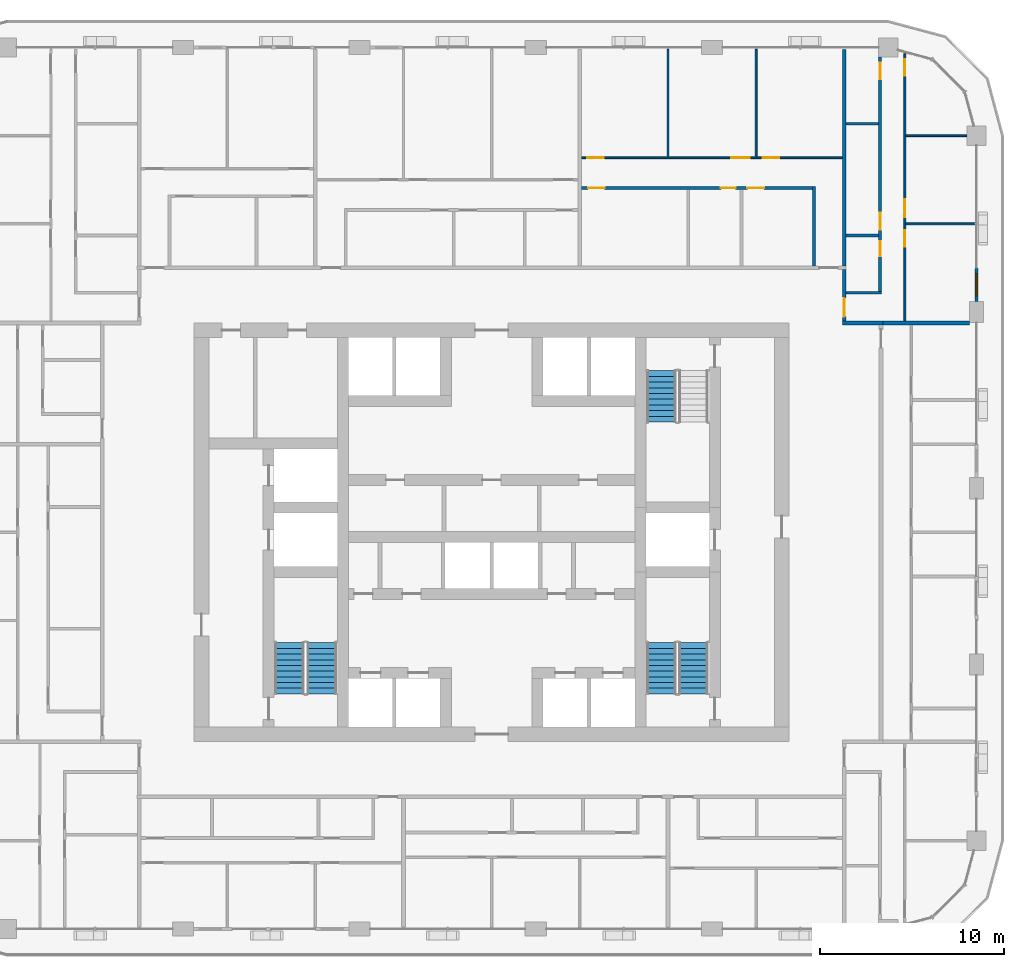
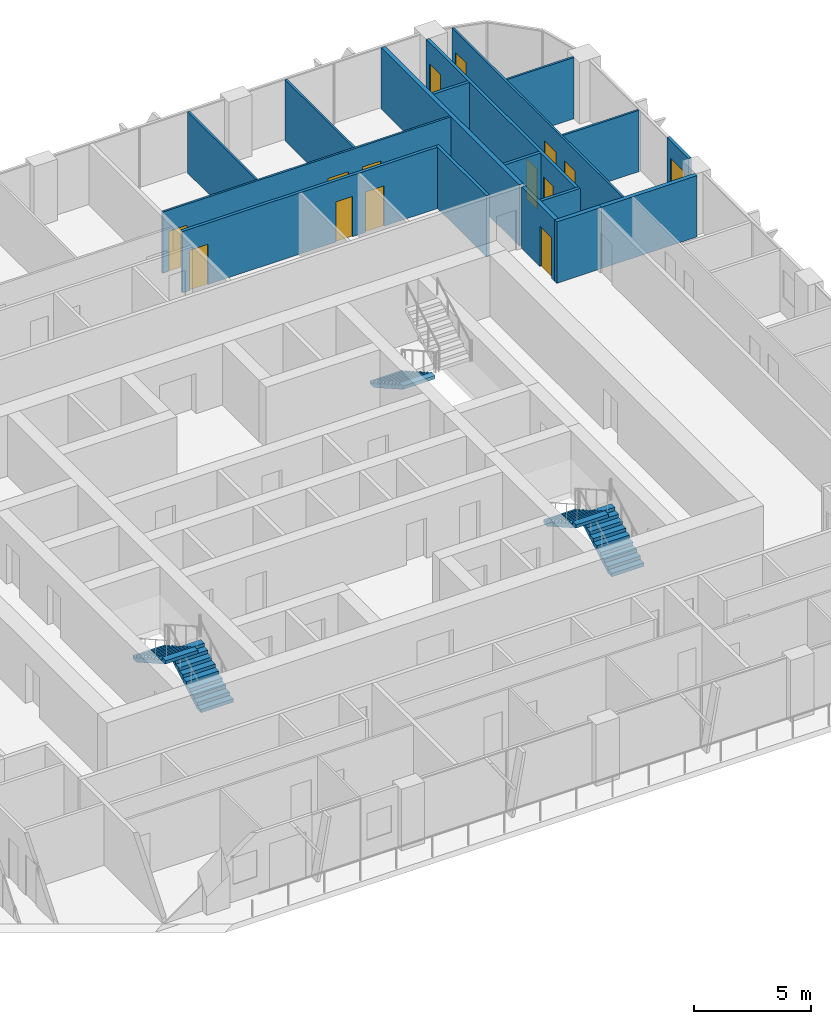
# One storey, part 15 of 23: 17 walls, 13 doors, 5 stair flights, 1 window, 14 openings, 3 elements without a shape of their own.
"""IFC4 building model written with IfcOpenShell, lengths in metres."""

from ifc_helpers import new_model, si_unit, direction, frame, frame_2d, origin, place, context, subcontext, project, spatial, polyline, rectangle, outline, extrude, material, layer, layer_set, type_object, element, fill, aggregate, save


model = new_model("IFC4")

# Units and contexts
model_context = context("Model", 3, precision=1e-05, world=origin(), true_north=direction((0.0, 1.0)))
body_context = subcontext(model_context, "Body", "Model", "MODEL_VIEW")
ifc_project = project(units=[si_unit("LENGTHUNIT", "METRE"), si_unit("AREAUNIT", "SQUARE_METRE"), si_unit("VOLUMEUNIT", "CUBIC_METRE"), si_unit("PLANEANGLEUNIT", "RADIAN"), si_unit("MASSUNIT", "GRAM", prefix="KILO")], contexts=[model_context])

# Site, building, storey
site_placement = place(None, origin())
site = spatial("IfcSite", under=ifc_project, at=site_placement, CompositionType="ELEMENT")
building_placement = place(site_placement, origin())
building = spatial("IfcBuilding", under=site, at=building_placement, Name="Madar Terraces", CompositionType="ELEMENT")
storey_placement = place(building_placement, frame((0.0, 0.0, 133.10009765625)))
storey = spatial("IfcBuildingStorey", under=building, at=storey_placement, Name="L34", CompositionType="ELEMENT", Elevation=133.10009765625)

# Wall, opening, window
ifc_material_1 = material(Name="Aluminium composite panel, black, over insulated backing", Category="aluminium")
ifc_layer_1 = layer(ifc_material_1, 0.14990234375)
ifc_layer_set_1 = layer_set([ifc_layer_1], Name="Facade bay panel 150")
wall_type_1 = type_object("IfcWallType", Name="Facade bay panel 150", PredefinedType="SOLIDWALL", material=ifc_layer_set_1)
wall_1_placement = place(storey_placement, frame((57.60009765625, 38.97509765625, 0.0), z_axis=(0.0, 0.0, 1.0), x_axis=(0.0, 1.0, 0.0)))
wall_1 = element("IfcWall", 1, at=wall_1_placement, inside=storey, type_object=wall_type_1, Name="Facade bay panel", PredefinedType="SOLIDWALL", context=body_context, shape_type="SweptSolid", body=[
    extrude(rectangle(XDim=1.824951171875, YDim=0.14990234375, at=frame_2d((0.91259765625, 0.0))), origin(), (0.0, 0.0, 1.0), 3.199951171875),
])
opening_1_placement = place(wall_1_placement, frame((0.3125, 0.0, 0.89990234375)))
opening_1 = element("IfcOpeningElement", 2, at=opening_1_placement, cuts=wall_1, Name="Opening W1", PredefinedType="OPENING", context=body_context, shape_type="SweptSolid", body=[
    extrude(rectangle(XDim=1.199951171875, YDim=1.39990234375, at=frame_2d((0.60009765625, 0.699951171875))), frame((0.0, 0.0849609375, 0.0), z_axis=(0.0, -1.0, 0.0), x_axis=(1.0, 0.0, 0.0)), (0.0, 0.0, 1.0), 0.169921875),
])
ifc_material_2 = material(Name="Glass, clear, with black aluminium frame", Category="aluminium")
window_type = type_object("IfcWindowType", Name="Vent window 1200 x 1400", PartitioningType="SINGLE_PANEL", PredefinedType="WINDOW", material=ifc_material_2)
window_placement = place(opening_1_placement, origin())
window = element("IfcWindow", 3, at=window_placement, inside=storey, type_object=window_type, Name="Operable vent window", OverallHeight=1.39990234375, OverallWidth=1.199951171875, PartitioningType="SINGLE_PANEL", PredefinedType="WINDOW", context=body_context, shape_type="SweptSolid", body=[
    extrude(rectangle(XDim=1.199951171875, YDim=1.39990234375, at=frame_2d((0.60009765625, 0.699951171875))), frame((0.0, 0.030029296875, 0.0), z_axis=(0.0, -1.0, 0.0), x_axis=(1.0, 0.0, 0.0)), (0.0, 0.0, 1.0), 0.06005859375),
])
fill(opening_1, window)

# Walls
ifc_material_3 = material(Name="Gypsum board on steel studs", Category="steel")
ifc_layer_2 = layer(ifc_material_3, 0.10009765625)
ifc_layer_set_2 = layer_set([ifc_layer_2], Name="Flat partition 100")
wall_type_2 = type_object("IfcWallType", Name="Flat partition 100", PredefinedType="PARTITIONING", material=ifc_layer_set_2)
wall_2_placement = place(storey_placement, frame((53.75, 43.199951171875, 0.0), z_axis=(0.0, 0.0, 1.0), x_axis=(1.0, 0.0, 0.0)))
element("IfcWall", 4, at=wall_2_placement, inside=storey, type_object=wall_type_2, Name="Flat partition 100", PredefinedType="PARTITIONING", context=body_context, shape_type="SweptSolid", body=[
    extrude(rectangle(XDim=3.75, YDim=0.10009765625, at=frame_2d((1.875, 0.0))), origin(), (0.0, 0.0, 1.0), 3.199951171875),
])
wall_3_placement = place(storey_placement, frame((53.75, 48.0, 0.0), z_axis=(0.0, 0.0, 1.0), x_axis=(1.0, 0.0, 0.0)))
element("IfcWall", 5, at=wall_3_placement, inside=storey, type_object=wall_type_2, Name="Flat partition 100", PredefinedType="PARTITIONING", context=body_context, shape_type="SweptSolid", body=[
    extrude(rectangle(XDim=3.324951171875, YDim=0.10009765625, at=frame_2d((1.66259765625, 0.0))), origin(), (0.0, 0.0, 1.0), 3.199951171875),
])

# Wall, openings, doors
wall_4_placement = place(storey_placement, frame((53.699951171875, 52.458740234375, 0.0), z_axis=(0.0, 0.0, 1.0), x_axis=(0.0, -1.0, 0.0)))
wall_4 = element("IfcWall", 6, at=wall_4_placement, inside=storey, type_object=wall_type_2, Name="Flat partition 100", PredefinedType="PARTITIONING", context=body_context, shape_type="SweptSolid", body=[
    extrude(rectangle(XDim=14.558837890625, YDim=0.10009765625, at=frame_2d((7.279296875, 0.0))), origin(), (0.0, 0.0, 1.0), 3.199951171875),
])
opening_2_placement = place(wall_4_placement, frame((9.60888671875, 0.0, 0.0)))
opening_2 = element("IfcOpeningElement", 7, at=opening_2_placement, cuts=wall_4, Name="Opening D2", PredefinedType="OPENING", context=body_context, shape_type="SweptSolid", body=[
    extrude(rectangle(XDim=0.89990234375, YDim=2.10009765625, at=frame_2d((0.449951171875, 1.050048828125))), frame((0.0, 0.06005859375, 0.0), z_axis=(0.0, -1.0, 0.0), x_axis=(1.0, 0.0, 0.0)), (0.0, 0.0, 1.0), 0.1201171875),
])
opening_3_placement = place(wall_4_placement, frame((7.90869140625, 0.0, 0.0)))
opening_3 = element("IfcOpeningElement", 8, at=opening_3_placement, cuts=wall_4, Name="Opening D3", PredefinedType="OPENING", context=body_context, shape_type="SweptSolid", body=[
    extrude(rectangle(XDim=1.0, YDim=2.10009765625, at=frame_2d((0.5, 1.050048828125))), frame((0.0, 0.06005859375, 0.0), z_axis=(0.0, -1.0, 0.0), x_axis=(1.0, 0.0, 0.0)), (0.0, 0.0, 1.0), 0.1201171875),
])
opening_4_placement = place(wall_4_placement, frame((0.300048828125, 0.0, 0.0)))
opening_4 = element("IfcOpeningElement", 9, at=opening_4_placement, cuts=wall_4, Name="Opening D2", PredefinedType="OPENING", context=body_context, shape_type="SweptSolid", body=[
    extrude(rectangle(XDim=0.89990234375, YDim=2.10009765625, at=frame_2d((0.449951171875, 1.050048828125))), frame((0.0, 0.06005859375, 0.0), z_axis=(0.0, -1.0, 0.0), x_axis=(1.0, 0.0, 0.0)), (0.0, 0.0, 1.0), 0.1201171875),
])
ifc_material_4 = material(Name="Timber door leaf", Category="wood")
door_type_1 = type_object("IfcDoorType", Name="Flat living room door 1000", OperationType="NOTDEFINED", PredefinedType="DOOR", material=ifc_material_4)
door_1_placement = place(opening_3_placement, origin())
door_1 = element("IfcDoor", 10, at=door_1_placement, inside=storey, type_object=door_type_1, Name="Flat living room door 1000", OperationType="SINGLE_SWING_RIGHT", OverallHeight=2.10009765625, OverallWidth=1.0, PredefinedType="DOOR", context=body_context, shape_type="SweptSolid", body=[
    extrude(rectangle(XDim=1.0, YDim=2.10009765625, at=frame_2d((0.5, 1.050048828125))), frame((0.0, 0.02490234375, 0.0), z_axis=(0.0, -1.0, 0.0), x_axis=(1.0, 0.0, 0.0)), (0.0, 0.0, 1.0), 0.050048828125),
])
fill(opening_3, door_1)
ifc_material_5 = material(Name="Timber door leaf", Category="wood")
door_type_2 = type_object("IfcDoorType", Name="Flat room door 900", OperationType="NOTDEFINED", PredefinedType="DOOR", material=ifc_material_5)
door_2_placement = place(opening_2_placement, origin())
door_2 = element("IfcDoor", 11, at=door_2_placement, inside=storey, type_object=door_type_2, Name="Flat room door 900", OperationType="SINGLE_SWING_LEFT", OverallHeight=2.10009765625, OverallWidth=0.89990234375, PredefinedType="DOOR", context=body_context, shape_type="SweptSolid", body=[
    extrude(rectangle(XDim=0.89990234375, YDim=2.10009765625, at=frame_2d((0.449951171875, 1.050048828125))), frame((0.0, 0.02490234375, 0.0), z_axis=(0.0, -1.0, 0.0), x_axis=(1.0, 0.0, 0.0)), (0.0, 0.0, 1.0), 0.050048828125),
])
fill(opening_2, door_2)
door_3_placement = place(opening_4_placement, origin())
door_3 = element("IfcDoor", 12, at=door_3_placement, inside=storey, type_object=door_type_2, Name="Flat room door 900", OperationType="SINGLE_SWING_LEFT", OverallHeight=2.10009765625, OverallWidth=0.89990234375, PredefinedType="DOOR", context=body_context, shape_type="SweptSolid", body=[
    extrude(rectangle(XDim=0.89990234375, YDim=2.10009765625, at=frame_2d((0.449951171875, 1.050048828125))), frame((0.0, 0.02490234375, 0.0), z_axis=(0.0, -1.0, 0.0), x_axis=(1.0, 0.0, 0.0)), (0.0, 0.0, 1.0), 0.050048828125),
])
fill(opening_4, door_3)

# Walls
for number, where, z_axis, x_axis, name in (
    (13, (45.60009765625, 46.85009765625, 0.0), (0.0, 0.0, 1.0), (0.0, 1.0, 0.0), "Flat partition 100"),
    (14, (40.800048828125, 46.85009765625, 0.0), (0.0, 0.0, 1.0), (0.0, 1.0, 0.0), "Flat partition 100"),
):
    element("IfcWall", number, at=place(storey_placement, frame(where, z_axis=z_axis, x_axis=x_axis)), inside=storey, type_object=wall_type_2, Name=name, PredefinedType="PARTITIONING", context=body_context, shape_type="SweptSolid", body=[
        extrude(rectangle(XDim=5.849853515625, YDim=0.10009765625, at=frame_2d((2.9248046875, 0.0))), origin(), (0.0, 0.0, 1.0), 3.199951171875),
    ])

# Wall, openings, doors
wall_5_placement = place(storey_placement, frame((36.10009765625, 46.800048828125, 0.0), z_axis=(0.0, 0.0, 1.0), x_axis=(1.0, 0.0, 0.0)))
wall_5 = element("IfcWall", 15, at=wall_5_placement, inside=storey, type_object=wall_type_2, Name="Flat partition 100", PredefinedType="PARTITIONING", context=body_context, shape_type="SweptSolid", body=[
    extrude(rectangle(XDim=14.199951171875, YDim=0.10009765625, at=frame_2d((7.10009765625, 0.0))), origin(), (0.0, 0.0, 1.0), 3.199951171875),
])
opening_5_placement = place(wall_5_placement, frame((9.85009765625, 0.0, 0.0)))
opening_5 = element("IfcOpeningElement", 16, at=opening_5_placement, cuts=wall_5, Name="Opening D2", PredefinedType="OPENING", context=body_context, shape_type="SweptSolid", body=[
    extrude(rectangle(XDim=0.89990234375, YDim=2.10009765625, at=frame_2d((0.449951171875, 1.050048828125))), frame((0.0, 0.06005859375, 0.0), z_axis=(0.0, -1.0, 0.0), x_axis=(1.0, 0.0, 0.0)), (0.0, 0.0, 1.0), 0.1201171875),
])
opening_6_placement = place(wall_5_placement, frame((8.14990234375, 0.0, 0.0)))
opening_6 = element("IfcOpeningElement", 17, at=opening_6_placement, cuts=wall_5, Name="Opening D3", PredefinedType="OPENING", context=body_context, shape_type="SweptSolid", body=[
    extrude(rectangle(XDim=1.0, YDim=2.10009765625, at=frame_2d((0.5, 1.050048828125))), frame((0.0, 0.06005859375, 0.0), z_axis=(0.0, -1.0, 0.0), x_axis=(1.0, 0.0, 0.0)), (0.0, 0.0, 1.0), 0.1201171875),
])
opening_7_placement = place(wall_5_placement, frame((0.300048828125, 0.0, 0.0)))
opening_7 = element("IfcOpeningElement", 18, at=opening_7_placement, cuts=wall_5, Name="Opening D2", PredefinedType="OPENING", context=body_context, shape_type="SweptSolid", body=[
    extrude(rectangle(XDim=0.89990234375, YDim=2.10009765625, at=frame_2d((0.449951171875, 1.050048828125))), frame((0.0, 0.06005859375, 0.0), z_axis=(0.0, -1.0, 0.0), x_axis=(1.0, 0.0, 0.0)), (0.0, 0.0, 1.0), 0.1201171875),
])
door_4_placement = place(opening_6_placement, origin())
door_4 = element("IfcDoor", 19, at=door_4_placement, inside=storey, type_object=door_type_1, Name="Flat living room door 1000", OperationType="SINGLE_SWING_RIGHT", OverallHeight=2.10009765625, OverallWidth=1.0, PredefinedType="DOOR", context=body_context, shape_type="SweptSolid", body=[
    extrude(rectangle(XDim=1.0, YDim=2.10009765625, at=frame_2d((0.5, 1.050048828125))), frame((0.0, 0.02490234375, 0.0), z_axis=(0.0, -1.0, 0.0), x_axis=(1.0, 0.0, 0.0)), (0.0, 0.0, 1.0), 0.050048828125),
])
fill(opening_6, door_4)
door_5_placement = place(opening_5_placement, origin())
door_5 = element("IfcDoor", 20, at=door_5_placement, inside=storey, type_object=door_type_2, Name="Flat room door 900", OperationType="SINGLE_SWING_LEFT", OverallHeight=2.10009765625, OverallWidth=0.89990234375, PredefinedType="DOOR", context=body_context, shape_type="SweptSolid", body=[
    extrude(rectangle(XDim=0.89990234375, YDim=2.10009765625, at=frame_2d((0.449951171875, 1.050048828125))), frame((0.0, 0.02490234375, 0.0), z_axis=(0.0, -1.0, 0.0), x_axis=(1.0, 0.0, 0.0)), (0.0, 0.0, 1.0), 0.050048828125),
])
fill(opening_5, door_5)
door_6_placement = place(opening_7_placement, origin())
door_6 = element("IfcDoor", 21, at=door_6_placement, inside=storey, type_object=door_type_2, Name="Flat room door 900", OperationType="SINGLE_SWING_LEFT", OverallHeight=2.10009765625, OverallWidth=0.89990234375, PredefinedType="DOOR", context=body_context, shape_type="SweptSolid", body=[
    extrude(rectangle(XDim=0.89990234375, YDim=2.10009765625, at=frame_2d((0.449951171875, 1.050048828125))), frame((0.0, 0.02490234375, 0.0), z_axis=(0.0, -1.0, 0.0), x_axis=(1.0, 0.0, 0.0)), (0.0, 0.0, 1.0), 0.050048828125),
])
fill(opening_7, door_6)

# Wall
ifc_material_6 = material(Name="Lightweight blockwork", Category="masonry")
ifc_layer_3 = layer(ifc_material_6, 0.199951171875)
ifc_layer_set_3 = layer_set([ifc_layer_3], Name="Flat party and entrance wall 200")
wall_type_3 = type_object("IfcWallType", Name="Flat party and entrance wall 200", PredefinedType="PARTITIONING", material=ifc_layer_set_3)
wall_6_placement = place(storey_placement, frame((52.5, 37.800048828125, 0.0), z_axis=(0.0, 0.0, 1.0), x_axis=(-1.0, 0.0, 0.0)))
element("IfcWall", 22, at=wall_6_placement, inside=storey, type_object=wall_type_3, Name="Flat party and entrance wall 200", PredefinedType="PARTITIONING", context=body_context, shape_type="SweptSolid", body=[
    extrude(rectangle(XDim=2.199951171875, YDim=0.199951171875, at=frame_2d((1.10009765625, 0.0))), origin(), (0.0, 0.0, 1.0), 3.199951171875),
])

# Wall, opening, door
wall_7_placement = place(storey_placement, frame((50.39990234375, 40.699951171875, 0.0), z_axis=(0.0, 0.0, 1.0), x_axis=(0.0, -1.0, 0.0)))
wall_7 = element("IfcWall", 23, at=wall_7_placement, inside=storey, type_object=wall_type_3, Name="Flat party and entrance wall 200", PredefinedType="PARTITIONING", context=body_context, shape_type="SweptSolid", body=[
    extrude(rectangle(XDim=2.800048828125, YDim=0.199951171875, at=frame_2d((1.39990234375, 0.0))), origin(), (0.0, 0.0, 1.0), 3.199951171875),
])
opening_8_placement = place(wall_7_placement, frame((1.550048828125, 0.0, 0.0)))
opening_8 = element("IfcOpeningElement", 24, at=opening_8_placement, cuts=wall_7, Name="Opening D1", PredefinedType="OPENING", context=body_context, shape_type="SweptSolid", body=[
    extrude(rectangle(XDim=1.0, YDim=2.10009765625, at=frame_2d((0.5, 1.050048828125))), frame((0.0, 0.10986328125, 0.0), z_axis=(0.0, -1.0, 0.0), x_axis=(1.0, 0.0, 0.0)), (0.0, 0.0, 1.0), 0.219970703125),
])
ifc_material_7 = material(Name="Timber fire door leaf", Category="wood")
door_type_3 = type_object("IfcDoorType", Name="Flat entrance door 1000 FD30S", OperationType="NOTDEFINED", PredefinedType="DOOR", material=ifc_material_7)
door_7_placement = place(opening_8_placement, origin())
door_7 = element("IfcDoor", 25, at=door_7_placement, inside=storey, type_object=door_type_3, Name="Flat entrance door 1000 FD30S", OperationType="SINGLE_SWING_RIGHT", OverallHeight=2.10009765625, OverallWidth=1.0, PredefinedType="DOOR", context=body_context, shape_type="SweptSolid", body=[
    extrude(rectangle(XDim=1.0, YDim=2.10009765625, at=frame_2d((0.5, 1.050048828125))), frame((0.0, 0.02490234375, 0.0), z_axis=(0.0, -1.0, 0.0), x_axis=(1.0, 0.0, 0.0)), (0.0, 0.0, 1.0), 0.050048828125),
])
fill(opening_8, door_7)

# Walls
wall_8_placement = place(storey_placement, frame((52.5, 37.800048828125, 0.0), z_axis=(0.0, 0.0, 1.0), x_axis=(1.0, 0.0, 0.0)))
element("IfcWall", 26, at=wall_8_placement, inside=storey, type_object=wall_type_3, Name="Flat party and entrance wall 200", PredefinedType="PARTITIONING", context=body_context, shape_type="SweptSolid", body=[
    extrude(rectangle(XDim=4.72509765625, YDim=0.199951171875, at=frame_2d((2.362548828125, 0.0))), origin(), (0.0, 0.0, 1.0), 3.199951171875),
])
wall_9_placement = place(storey_placement, frame((50.39990234375, 40.89990234375, 0.0), z_axis=(0.0, 0.0, 1.0), x_axis=(0.0, 1.0, 0.0)))
element("IfcWall", 27, at=wall_9_placement, inside=storey, type_object=wall_type_3, Name="Flat party and entrance wall 200", PredefinedType="PARTITIONING", context=body_context, shape_type="SweptSolid", body=[
    extrude(rectangle(XDim=11.800048828125, YDim=0.199951171875, at=frame_2d((5.89990234375, 0.0))), origin(), (0.0, 0.0, 1.0), 3.199951171875),
])
ifc_material_8 = material(Name="Lightweight blockwork", Category="masonry")
ifc_layer_4 = layer(ifc_material_8, 0.14990234375)
ifc_layer_set_4 = layer_set([ifc_layer_4], Name="Flat wet-room partition 150")
wall_type_4 = type_object("IfcWallType", Name="Flat wet-room partition 150", PredefinedType="PARTITIONING", material=ifc_layer_set_4)
for number, where, z_axis, x_axis, name in (
    (28, (50.5, 42.5654296875, 0.0), (0.0, 0.0, 1.0), (1.0, 0.0, 0.0), "Flat wet-room partition 150"),
    (29, (50.5, 48.646240234375, 0.0), (0.0, 0.0, 1.0), (1.0, 0.0, 0.0), "Flat wet-room partition 150"),
):
    element("IfcWall", number, at=place(storey_placement, frame(where, z_axis=z_axis, x_axis=x_axis)), inside=storey, type_object=wall_type_4, Name=name, PredefinedType="PARTITIONING", context=body_context, shape_type="SweptSolid", body=[
        extrude(rectangle(XDim=1.77490234375, YDim=0.14990234375, at=frame_2d((0.887451171875, 0.0))), origin(), (0.0, 0.0, 1.0), 3.199951171875),
    ])
wall_10_placement = place(storey_placement, frame((50.5, 39.449951171875, 0.0), z_axis=(0.0, 0.0, 1.0), x_axis=(1.0, 0.0, 0.0)))
element("IfcWall", 30, at=wall_10_placement, inside=storey, type_object=wall_type_4, Name="Flat wet-room partition 150", PredefinedType="PARTITIONING", context=body_context, shape_type="SweptSolid", body=[
    extrude(rectangle(XDim=1.925048828125, YDim=0.14990234375, at=frame_2d((0.96240234375, 0.0))), origin(), (0.0, 0.0, 1.0), 3.199951171875),
])

# Wall, openings, doors
wall_11_placement = place(storey_placement, frame((52.35009765625, 39.52490234375, 0.0), z_axis=(0.0, 0.0, 1.0), x_axis=(0.0, 1.0, 0.0)))
wall_11 = element("IfcWall", 31, at=wall_11_placement, inside=storey, type_object=wall_type_4, Name="Flat wet-room partition 150", PredefinedType="PARTITIONING", context=body_context, shape_type="SweptSolid", body=[
    extrude(rectangle(XDim=12.75, YDim=0.14990234375, at=frame_2d((6.375, 0.0))), origin(), (0.0, 0.0, 1.0), 3.199951171875),
])
opening_9_placement = place(wall_11_placement, frame((1.915283203125, 0.0, 0.0)))
opening_9 = element("IfcOpeningElement", 32, at=opening_9_placement, cuts=wall_11, Name="Opening D4", PredefinedType="OPENING", context=body_context, shape_type="SweptSolid", body=[
    extrude(rectangle(XDim=0.800048828125, YDim=2.10009765625, at=frame_2d((0.39990234375, 1.050048828125))), frame((0.0, 0.0849609375, 0.0), z_axis=(0.0, -1.0, 0.0), x_axis=(1.0, 0.0, 0.0)), (0.0, 0.0, 1.0), 0.169921875),
])
opening_10_placement = place(wall_11_placement, frame((3.365478515625, 0.0, 0.0)))
opening_10 = element("IfcOpeningElement", 33, at=opening_10_placement, cuts=wall_11, Name="Opening D2", PredefinedType="OPENING", context=body_context, shape_type="SweptSolid", body=[
    extrude(rectangle(XDim=0.89990234375, YDim=2.10009765625, at=frame_2d((0.449951171875, 1.050048828125))), frame((0.0, 0.0849609375, 0.0), z_axis=(0.0, -1.0, 0.0), x_axis=(1.0, 0.0, 0.0)), (0.0, 0.0, 1.0), 0.169921875),
])
opening_11_placement = place(wall_11_placement, frame((11.550048828125, 0.0, 0.0)))
opening_11 = element("IfcOpeningElement", 34, at=opening_11_placement, cuts=wall_11, Name="Opening D5", PredefinedType="OPENING", context=body_context, shape_type="SweptSolid", body=[
    extrude(rectangle(XDim=0.89990234375, YDim=2.10009765625, at=frame_2d((0.449951171875, 1.050048828125))), frame((0.0, 0.0849609375, 0.0), z_axis=(0.0, -1.0, 0.0), x_axis=(1.0, 0.0, 0.0)), (0.0, 0.0, 1.0), 0.169921875),
])
ifc_material_9 = material(Name="Timber door leaf", Category="wood")
door_type_4 = type_object("IfcDoorType", Name="Flat accessible bathroom door 900", OperationType="NOTDEFINED", PredefinedType="DOOR", material=ifc_material_9)
door_8_placement = place(opening_11_placement, origin())
door_8 = element("IfcDoor", 35, at=door_8_placement, inside=storey, type_object=door_type_4, Name="Flat accessible bathroom door 900", OperationType="SINGLE_SWING_RIGHT", OverallHeight=2.10009765625, OverallWidth=0.89990234375, PredefinedType="DOOR", context=body_context, shape_type="SweptSolid", body=[
    extrude(rectangle(XDim=0.89990234375, YDim=2.10009765625, at=frame_2d((0.449951171875, 1.050048828125))), frame((0.0, 0.02490234375, 0.0), z_axis=(0.0, -1.0, 0.0), x_axis=(1.0, 0.0, 0.0)), (0.0, 0.0, 1.0), 0.050048828125),
])
fill(opening_11, door_8)
ifc_material_10 = material(Name="Timber door leaf", Category="wood")
door_type_5 = type_object("IfcDoorType", Name="Flat bathroom door 800", OperationType="NOTDEFINED", PredefinedType="DOOR", material=ifc_material_10)
door_9_placement = place(opening_9_placement, origin())
door_9 = element("IfcDoor", 36, at=door_9_placement, inside=storey, type_object=door_type_5, Name="Flat bathroom door 800", OperationType="SINGLE_SWING_RIGHT", OverallHeight=2.10009765625, OverallWidth=0.800048828125, PredefinedType="DOOR", context=body_context, shape_type="SweptSolid", body=[
    extrude(rectangle(XDim=0.800048828125, YDim=2.10009765625, at=frame_2d((0.39990234375, 1.050048828125))), frame((0.0, 0.02490234375, 0.0), z_axis=(0.0, -1.0, 0.0), x_axis=(1.0, 0.0, 0.0)), (0.0, 0.0, 1.0), 0.050048828125),
])
fill(opening_9, door_9)
door_10_placement = place(opening_10_placement, origin())
door_10 = element("IfcDoor", 37, at=door_10_placement, inside=storey, type_object=door_type_2, Name="Flat room door 900", OperationType="SINGLE_SWING_LEFT", OverallHeight=2.10009765625, OverallWidth=0.89990234375, PredefinedType="DOOR", context=body_context, shape_type="SweptSolid", body=[
    extrude(rectangle(XDim=0.89990234375, YDim=2.10009765625, at=frame_2d((0.449951171875, 1.050048828125))), frame((0.0, 0.02490234375, 0.0), z_axis=(0.0, -1.0, 0.0), x_axis=(1.0, 0.0, 0.0)), (0.0, 0.0, 1.0), 0.050048828125),
])
fill(opening_10, door_10)

# Wall
wall_12_placement = place(storey_placement, frame((48.75, 40.89990234375, 0.0), z_axis=(0.0, 0.0, 1.0), x_axis=(0.0, 1.0, 0.0)))
element("IfcWall", 38, at=wall_12_placement, inside=storey, type_object=wall_type_4, Name="Flat wet-room partition 150", PredefinedType="PARTITIONING", context=body_context, shape_type="SweptSolid", body=[
    extrude(rectangle(XDim=4.3251953125, YDim=0.14990234375, at=frame_2d((2.16259765625, 0.0))), origin(), (0.0, 0.0, 1.0), 3.199951171875),
])

# Wall, openings, doors
wall_13_placement = place(storey_placement, frame((48.675048828125, 45.14990234375, 0.0), z_axis=(0.0, 0.0, 1.0), x_axis=(-1.0, 0.0, 0.0)))
wall_13 = element("IfcWall", 39, at=wall_13_placement, inside=storey, type_object=wall_type_4, Name="Flat wet-room partition 150", PredefinedType="PARTITIONING", context=body_context, shape_type="SweptSolid", body=[
    extrude(rectangle(XDim=12.574951171875, YDim=0.14990234375, at=frame_2d((6.28759765625, 0.0))), origin(), (0.0, 0.0, 1.0), 3.199951171875),
])
opening_12_placement = place(wall_13_placement, frame((2.644287109375, 0.0, 0.0)))
opening_12 = element("IfcOpeningElement", 40, at=opening_12_placement, cuts=wall_13, Name="Opening D5", PredefinedType="OPENING", context=body_context, shape_type="SweptSolid", body=[
    extrude(rectangle(XDim=0.89990234375, YDim=2.10009765625, at=frame_2d((0.449951171875, 1.050048828125))), frame((0.0, 0.0849609375, 0.0), z_axis=(0.0, -1.0, 0.0), x_axis=(1.0, 0.0, 0.0)), (0.0, 0.0, 1.0), 0.169921875),
])
opening_13_placement = place(wall_13_placement, frame((4.194091796875, 0.0, 0.0)))
opening_13 = element("IfcOpeningElement", 41, at=opening_13_placement, cuts=wall_13, Name="Opening D4", PredefinedType="OPENING", context=body_context, shape_type="SweptSolid", body=[
    extrude(rectangle(XDim=0.800048828125, YDim=2.10009765625, at=frame_2d((0.39990234375, 1.050048828125))), frame((0.0, 0.0849609375, 0.0), z_axis=(0.0, -1.0, 0.0), x_axis=(1.0, 0.0, 0.0)), (0.0, 0.0, 1.0), 0.169921875),
])
opening_14_placement = place(wall_13_placement, frame((11.324951171875, 0.0, 0.0)))
opening_14 = element("IfcOpeningElement", 42, at=opening_14_placement, cuts=wall_13, Name="Opening D2", PredefinedType="OPENING", context=body_context, shape_type="SweptSolid", body=[
    extrude(rectangle(XDim=0.89990234375, YDim=2.10009765625, at=frame_2d((0.449951171875, 1.050048828125))), frame((0.0, 0.0849609375, 0.0), z_axis=(0.0, -1.0, 0.0), x_axis=(1.0, 0.0, 0.0)), (0.0, 0.0, 1.0), 0.169921875),
])
door_11_placement = place(opening_12_placement, origin())
door_11 = element("IfcDoor", 43, at=door_11_placement, inside=storey, type_object=door_type_4, Name="Flat accessible bathroom door 900", OperationType="SINGLE_SWING_RIGHT", OverallHeight=2.10009765625, OverallWidth=0.89990234375, PredefinedType="DOOR", context=body_context, shape_type="SweptSolid", body=[
    extrude(rectangle(XDim=0.89990234375, YDim=2.10009765625, at=frame_2d((0.449951171875, 1.050048828125))), frame((0.0, 0.02490234375, 0.0), z_axis=(0.0, -1.0, 0.0), x_axis=(1.0, 0.0, 0.0)), (0.0, 0.0, 1.0), 0.050048828125),
])
fill(opening_12, door_11)
door_12_placement = place(opening_13_placement, origin())
door_12 = element("IfcDoor", 44, at=door_12_placement, inside=storey, type_object=door_type_5, Name="Flat bathroom door 800", OperationType="SINGLE_SWING_LEFT", OverallHeight=2.10009765625, OverallWidth=0.800048828125, PredefinedType="DOOR", context=body_context, shape_type="SweptSolid", body=[
    extrude(rectangle(XDim=0.800048828125, YDim=2.10009765625, at=frame_2d((0.39990234375, 1.050048828125))), frame((0.0, 0.02490234375, 0.0), z_axis=(0.0, -1.0, 0.0), x_axis=(1.0, 0.0, 0.0)), (0.0, 0.0, 1.0), 0.050048828125),
])
fill(opening_13, door_12)
door_13_placement = place(opening_14_placement, origin())
door_13 = element("IfcDoor", 45, at=door_13_placement, inside=storey, type_object=door_type_2, Name="Flat room door 900", OperationType="SINGLE_SWING_RIGHT", OverallHeight=2.10009765625, OverallWidth=0.89990234375, PredefinedType="DOOR", context=body_context, shape_type="SweptSolid", body=[
    extrude(rectangle(XDim=0.89990234375, YDim=2.10009765625, at=frame_2d((0.449951171875, 1.050048828125))), frame((0.0, 0.02490234375, 0.0), z_axis=(0.0, -1.0, 0.0), x_axis=(1.0, 0.0, 0.0)), (0.0, 0.0, 1.0), 0.050048828125),
])
fill(opening_14, door_13)

# Stair, stair flights
ifc_material_11 = material(Name="Concrete C50/60", Category="concrete")
stair_type_1 = type_object("IfcStairType", Name="Stair ST1 protected exit", PredefinedType="HALF_TURN_STAIR", material=ifc_material_11)
stair_1_placement = place(storey_placement, origin())
stair_1 = element("IfcStair", 46, at=stair_1_placement, inside=storey, type_object=stair_type_1, Name="L34 Protected Exit Stair ST1", PredefinedType="HALF_TURN_STAIR")
ifc_material_12 = material(Name="Concrete C50/60", Category="concrete")
stair_flight_type_1 = type_object("IfcStairFlightType", Name="Stair flight ST1-F4, 1600 wide, 10 risers", PredefinedType="STRAIGHT", material=ifc_material_12)
stair_flight_1_placement = place(storey_placement, frame((21.949951171875, 17.60009765625, 0.0), z_axis=(0.0, 0.0, 1.0), x_axis=(0.0, 1.0, 0.0)))
stair_flight_1 = element("IfcStairFlight", 47, at=stair_flight_1_placement, type_object=stair_flight_type_1, Name="ST1 flight 1", NumberOfRisers=10, NumberOfTreads=9, PredefinedType="STRAIGHT", RiserHeight=0.175, TreadLength=0.31, context=body_context, shape_type="SweptSolid", body=[
    extrude(outline(polyline([(0.0, 0.0), (0.0, 0.175048828125), (0.31005859375, 0.175048828125), (0.31005859375, 0.35009765625), (0.6201171875, 0.35009765625), (0.6201171875, 0.52490234375), (0.929931640625, 0.52490234375), (0.929931640625, 0.699951171875), (1.239990234375, 0.699951171875), (1.239990234375, 0.875), (1.550048828125, 0.875), (1.550048828125, 1.050048828125), (1.860107421875, 1.050048828125), (1.860107421875, 1.22509765625), (2.169921875, 1.22509765625), (2.169921875, 1.39990234375), (2.47998046875, 1.39990234375), (2.47998046875, 1.574951171875), (2.7900390625, 1.574951171875), (2.7900390625, 1.75), (2.7900390625, 1.40283203125), (0.304931640625, 0.0), (0.0, 0.0)])), frame((0.0, 0.800048828125, 0.0), z_axis=(0.0, -1.0, 0.0), x_axis=(1.0, 0.0, 0.0)), (0.0, 0.0, 1.0), 1.60009765625),
])
stair_flight_2_placement = place(storey_placement, frame((20.199951171875, 20.389892578125, 1.75), z_axis=(0.0, 0.0, 1.0), x_axis=(0.0, -1.0, 0.0)))
stair_flight_2 = element("IfcStairFlight", 48, at=stair_flight_2_placement, type_object=stair_flight_type_1, Name="ST1 flight 2", NumberOfRisers=10, NumberOfTreads=9, PredefinedType="STRAIGHT", RiserHeight=0.175, TreadLength=0.31, context=body_context, shape_type="SweptSolid", body=[
    extrude(outline(polyline([(0.0, 0.0), (0.0, 0.175048828125), (0.31005859375, 0.175048828125), (0.31005859375, 0.35009765625), (0.6201171875, 0.35009765625), (0.6201171875, 0.52490234375), (0.929931640625, 0.52490234375), (0.929931640625, 0.699951171875), (1.239990234375, 0.699951171875), (1.239990234375, 0.875), (1.550048828125, 0.875), (1.550048828125, 1.050048828125), (1.860107421875, 1.050048828125), (1.860107421875, 1.22509765625), (2.169921875, 1.22509765625), (2.169921875, 1.39990234375), (2.47998046875, 1.39990234375), (2.47998046875, 1.574951171875), (2.7900390625, 1.574951171875), (2.7900390625, 1.75), (2.7900390625, 1.40283203125), (0.304931640625, 0.0), (0.0, 0.0)])), frame((0.0, 0.800048828125, 0.0), z_axis=(0.0, -1.0, 0.0), x_axis=(1.0, 0.0, 0.0)), (0.0, 0.0, 1.0), 1.60009765625),
])
aggregate(stair_1, [stair_flight_1, stair_flight_2])

# Stair, stair flight
ifc_material_13 = material(Name="Concrete C50/60", Category="concrete")
stair_type_2 = type_object("IfcStairType", Name="Stair ST2 protected exit", PredefinedType="HALF_TURN_STAIR", material=ifc_material_13)
stair_2_placement = place(storey_placement, origin())
stair_2 = element("IfcStair", 49, at=stair_2_placement, inside=storey, type_object=stair_type_2, Name="L34 Protected Exit Stair ST2", PredefinedType="HALF_TURN_STAIR")
ifc_material_14 = material(Name="Concrete C50/60", Category="concrete")
stair_flight_type_2 = type_object("IfcStairFlightType", Name="Stair flight ST2-F4, 1600 wide, 10 risers", PredefinedType="STRAIGHT", material=ifc_material_14)
stair_flight_3_placement = place(storey_placement, frame((40.449951171875, 35.199951171875, 0.0), z_axis=(0.0, 0.0, 1.0), x_axis=(0.0, -1.0, 0.0)))
stair_flight_3 = element("IfcStairFlight", 50, at=stair_flight_3_placement, type_object=stair_flight_type_2, Name="ST2 flight 1", NumberOfRisers=10, NumberOfTreads=9, PredefinedType="STRAIGHT", RiserHeight=0.175, TreadLength=0.31, context=body_context, shape_type="SweptSolid", body=[
    extrude(outline(polyline([(0.0, 0.0), (0.0, 0.175048828125), (0.31005859375, 0.175048828125), (0.31005859375, 0.35009765625), (0.6201171875, 0.35009765625), (0.6201171875, 0.52490234375), (0.929931640625, 0.52490234375), (0.929931640625, 0.699951171875), (1.239990234375, 0.699951171875), (1.239990234375, 0.875), (1.550048828125, 0.875), (1.550048828125, 1.050048828125), (1.860107421875, 1.050048828125), (1.860107421875, 1.22509765625), (2.169921875, 1.22509765625), (2.169921875, 1.39990234375), (2.47998046875, 1.39990234375), (2.47998046875, 1.574951171875), (2.7900390625, 1.574951171875), (2.7900390625, 1.75), (2.7900390625, 1.40283203125), (0.304931640625, 0.0), (0.0, 0.0)])), frame((0.0, 0.800048828125, 0.0), z_axis=(0.0, -1.0, 0.0), x_axis=(1.0, 0.0, 0.0)), (0.0, 0.0, 1.0), 1.60009765625),
])
aggregate(stair_2, [stair_flight_3])

# Stair, stair flights
ifc_material_15 = material(Name="Concrete C50/60", Category="concrete")
stair_type_3 = type_object("IfcStairType", Name="Stair ST3 protected exit", PredefinedType="HALF_TURN_STAIR", material=ifc_material_15)
stair_3_placement = place(storey_placement, origin())
stair_3 = element("IfcStair", 51, at=stair_3_placement, inside=storey, type_object=stair_type_3, Name="L34 Protected Exit Stair ST3", PredefinedType="HALF_TURN_STAIR")
ifc_material_16 = material(Name="Concrete C50/60", Category="concrete")
stair_flight_type_3 = type_object("IfcStairFlightType", Name="Stair flight ST3-F4, 1600 wide, 10 risers", PredefinedType="STRAIGHT", material=ifc_material_16)
stair_flight_4_placement = place(storey_placement, frame((42.199951171875, 17.60009765625, 0.0), z_axis=(0.0, 0.0, 1.0), x_axis=(0.0, 1.0, 0.0)))
stair_flight_4 = element("IfcStairFlight", 52, at=stair_flight_4_placement, type_object=stair_flight_type_3, Name="ST3 flight 1", NumberOfRisers=10, NumberOfTreads=9, PredefinedType="STRAIGHT", RiserHeight=0.175, TreadLength=0.31, context=body_context, shape_type="SweptSolid", body=[
    extrude(outline(polyline([(0.0, 0.0), (0.0, 0.175048828125), (0.31005859375, 0.175048828125), (0.31005859375, 0.35009765625), (0.6201171875, 0.35009765625), (0.6201171875, 0.52490234375), (0.929931640625, 0.52490234375), (0.929931640625, 0.699951171875), (1.239990234375, 0.699951171875), (1.239990234375, 0.875), (1.550048828125, 0.875), (1.550048828125, 1.050048828125), (1.860107421875, 1.050048828125), (1.860107421875, 1.22509765625), (2.169921875, 1.22509765625), (2.169921875, 1.39990234375), (2.47998046875, 1.39990234375), (2.47998046875, 1.574951171875), (2.7900390625, 1.574951171875), (2.7900390625, 1.75), (2.7900390625, 1.40283203125), (0.304931640625, 0.0), (0.0, 0.0)])), frame((0.0, 0.800048828125, 0.0), z_axis=(0.0, -1.0, 0.0), x_axis=(1.0, 0.0, 0.0)), (0.0, 0.0, 1.0), 1.60009765625),
])
stair_flight_5_placement = place(storey_placement, frame((40.449951171875, 20.389892578125, 1.75), z_axis=(0.0, 0.0, 1.0), x_axis=(0.0, -1.0, 0.0)))
stair_flight_5 = element("IfcStairFlight", 53, at=stair_flight_5_placement, type_object=stair_flight_type_3, Name="ST3 flight 2", NumberOfRisers=10, NumberOfTreads=9, PredefinedType="STRAIGHT", RiserHeight=0.175, TreadLength=0.31, context=body_context, shape_type="SweptSolid", body=[
    extrude(outline(polyline([(0.0, 0.0), (0.0, 0.175048828125), (0.31005859375, 0.175048828125), (0.31005859375, 0.35009765625), (0.6201171875, 0.35009765625), (0.6201171875, 0.52490234375), (0.929931640625, 0.52490234375), (0.929931640625, 0.699951171875), (1.239990234375, 0.699951171875), (1.239990234375, 0.875), (1.550048828125, 0.875), (1.550048828125, 1.050048828125), (1.860107421875, 1.050048828125), (1.860107421875, 1.22509765625), (2.169921875, 1.22509765625), (2.169921875, 1.39990234375), (2.47998046875, 1.39990234375), (2.47998046875, 1.574951171875), (2.7900390625, 1.574951171875), (2.7900390625, 1.75), (2.7900390625, 1.40283203125), (0.304931640625, 0.0), (0.0, 0.0)])), frame((0.0, 0.800048828125, 0.0), z_axis=(0.0, -1.0, 0.0), x_axis=(1.0, 0.0, 0.0)), (0.0, 0.0, 1.0), 1.60009765625),
])
aggregate(stair_3, [stair_flight_4, stair_flight_5])

save(model, "model.ifc")
